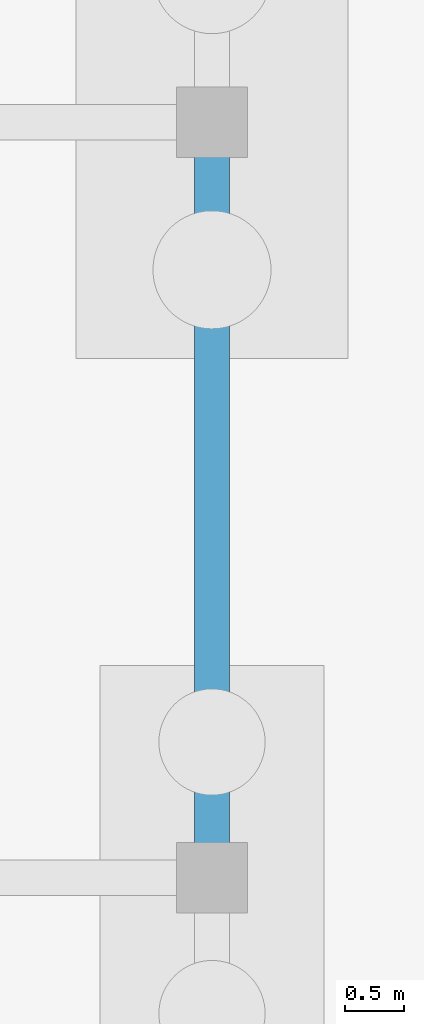
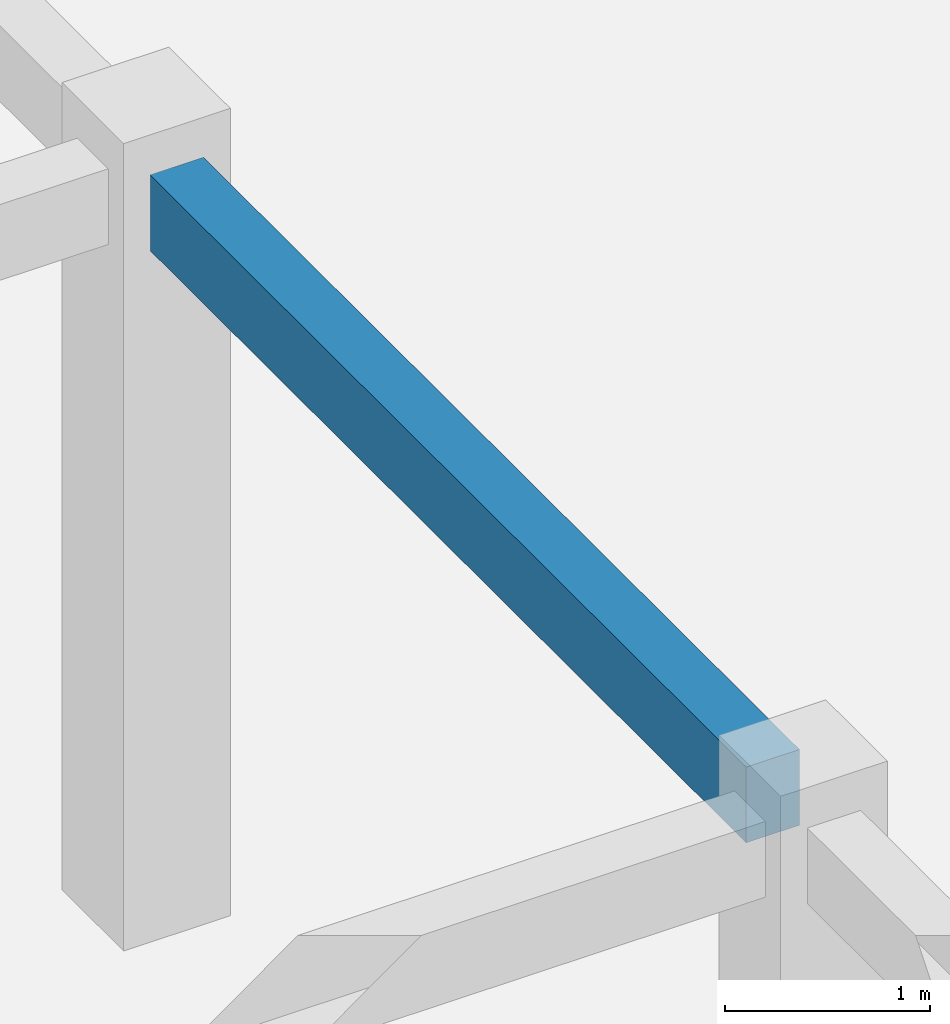
# One storey, part 94 of 192: 1 beam.
"""IFC4 building model written with IfcOpenShell, lengths in metres."""

import ifcopenshell
import ifcopenshell.guid

model = None  # the IFC model being written
_history = None  # IfcOwnerHistory: only IFC2X3 demands one
_inside = {}  # id of a spatial element -> (the spatial element, [elements in it])
_under = {}  # id of a project, library or spatial element -> (it, [spatial elements below it])
_declared = {}  # id of a project -> (the project, [libraries it declares])
_typed = {}  # id of a type object -> (the type object, [elements of that type])
_made_of = {}  # id of a material, layer set ... -> (it, [elements and type objects made of it])


def new_model(schema):
    """Start an empty IFC model of exactly this schema.

    Asked for "IFC4X3", IfcOpenShell would pick the latest addendum, in which some entities
    have other attributes; the version numbers below select the first issue.
    IFC2X3 requires an IfcOwnerHistory on every rooted entity: one is made here for all.
    """
    global model, _history
    if schema == "IFC4X3":
        model = ifcopenshell.file(schema_version=(4, 3, 0, 0))
    else:
        model = ifcopenshell.file(schema=schema)
    _inside.clear()
    _under.clear()
    _declared.clear()
    _typed.clear()
    _made_of.clear()
    _history = None
    if model.schema == "IFC2X3":
        org = make("IfcOrganization", Name="unknown")
        user = make(
            "IfcPersonAndOrganization",
            ThePerson=make("IfcPerson", FamilyName="unknown"),
            TheOrganization=org,
        )
        app = make(
            "IfcApplication",
            ApplicationDeveloper=org,
            Version="unknown",
            ApplicationFullName="unknown",
            ApplicationIdentifier="unknown",
        )
        _history = make(
            "IfcOwnerHistory",
            OwningUser=user,
            OwningApplication=app,
            ChangeAction="ADDED",
            CreationDate=0,
        )
    return model


def make(cls, **values):
    """One entity of the class cls with the attributes given. An attribute that is None is left unset."""
    return model.create_entity(
        cls, **{name: value for name, value in values.items() if value is not None}
    )


def rooted(cls, **values):
    """An entity with a GlobalId (a new one), such as an element, a storey or a relation."""
    return make(cls, GlobalId=ifcopenshell.guid.new(), OwnerHistory=_history, **values)


def si_unit(unit_type, name, prefix=None):
    """IfcSIUnit, for example si_unit("LENGTHUNIT", "METRE", prefix="MILLI")."""
    return make("IfcSIUnit", UnitType=unit_type, Prefix=prefix, Name=name)


def assignment(units):
    """IfcUnitAssignment: the units of a project."""
    return None if units is None else make("IfcUnitAssignment", Units=units)


def point(xyz):
    """IfcCartesianPoint."""
    return None if xyz is None else make("IfcCartesianPoint", Coordinates=xyz)


def direction(xyz):
    """IfcDirection."""
    return None if xyz is None else make("IfcDirection", DirectionRatios=xyz)


def frame(location, z_axis=None, x_axis=None):
    """IfcAxis2Placement3D, a coordinate frame: its origin and axes. An axis left out is left unset."""
    return make(
        "IfcAxis2Placement3D",
        Location=point(location),
        Axis=direction(z_axis),
        RefDirection=direction(x_axis),
    )


def frame_2d(location, x_axis=None):
    """IfcAxis2Placement2D, a coordinate frame in the plane: its origin and x axis."""
    return make(
        "IfcAxis2Placement2D", Location=point(location), RefDirection=direction(x_axis)
    )


def origin():
    """The frame at (0, 0, 0) with its axes left unset."""
    return frame((0.0, 0.0, 0.0))


def origin_2d():
    """The frame at (0, 0) in the plane with its x axis left unset."""
    return frame_2d((0.0, 0.0))


def place(relative_to, where):
    """IfcLocalPlacement: puts the frame where relative to a parent placement (None: the world)."""
    return make(
        "IfcLocalPlacement", PlacementRelTo=relative_to, RelativePlacement=where
    )


def context(
    kind, dimensions, precision=None, world=None, true_north=None, identifier=None
):
    """IfcGeometricRepresentationContext, for example the 3D "Model" context."""
    return make(
        "IfcGeometricRepresentationContext",
        ContextIdentifier=identifier,
        ContextType=kind,
        CoordinateSpaceDimension=dimensions,
        Precision=precision,
        WorldCoordinateSystem=world,
        TrueNorth=true_north,
    )


def subcontext(parent, identifier, kind, view, scale=None):
    """IfcGeometricRepresentationSubContext, for example "Body" below "Model"."""
    return make(
        "IfcGeometricRepresentationSubContext",
        ContextIdentifier=identifier,
        ContextType=kind,
        ParentContext=parent,
        TargetScale=scale,
        TargetView=view,
    )


def project(units=None, contexts=None):
    """IfcProject with its units and contexts."""
    return rooted(
        "IfcProject",
        Name="project",
        RepresentationContexts=contexts,
        UnitsInContext=assignment(units),
    )


def spatial(cls, under=None, at=None, **own):
    """A site, building, storey or space (cls), placed at a placement, below another one or the project."""
    s = rooted(cls, ObjectPlacement=at, **own)
    if under is not None:
        _under.setdefault(under.id(), (under, []))[1].append(s)
    return s


def profile(cls, at=None, kind="AREA", **sizes):
    """A parametric profile (cls). Its sizes go by their IFC names, for example OverallWidth=200.0."""
    return make(cls, ProfileType=kind, Position=at, **sizes)


def rectangle(**sizes):
    """IfcRectangleProfileDef."""
    return profile("IfcRectangleProfileDef", **sizes)


def extrude(swept, where, along, depth):
    """IfcExtrudedAreaSolid: the profile swept, set in the frame where, extruded along a direction by depth."""
    return make(
        "IfcExtrudedAreaSolid",
        SweptArea=swept,
        Position=where,
        ExtrudedDirection=direction(along),
        Depth=depth,
    )


def shape(context_of_items, identifier, shape_type, items):
    """IfcShapeRepresentation: the items that make up one representation, for example the "Body"."""
    return make(
        "IfcShapeRepresentation",
        ContextOfItems=context_of_items,
        RepresentationIdentifier=identifier,
        RepresentationType=shape_type,
        Items=items,
    )


def material(Name=None, Category=None):
    """IfcMaterial."""
    return make("IfcMaterial", Name=Name, Category=Category)


def material_profile(
    of_material, cross_section, Name=None, Category=None, Priority=None
):
    """IfcMaterialProfile: a cross section and its material."""
    return make(
        "IfcMaterialProfile",
        Name=Name,
        Material=of_material,
        Profile=cross_section,
        Priority=Priority,
        Category=Category,
    )


def profile_set(profiles, Name=None, composite=None):
    """IfcMaterialProfileSet."""
    return make(
        "IfcMaterialProfileSet",
        Name=Name,
        MaterialProfiles=profiles,
        CompositeProfile=composite,
    )


def made_of(thing, what):
    """Note that an element or type object is made of a material, layer set ...; save() writes the relation."""
    if what is not None:
        _made_of.setdefault(what.id(), (what, []))[1].append(thing)
    return thing


def type_object(cls, material=None, **own):
    """A type object (cls), such as IfcWallType, which elements share."""
    return made_of(rooted(cls, **own), material)


def element(
    cls,
    number,
    at=None,
    inside=None,
    cuts=None,
    type_object=None,
    material=None,
    context=None,
    identifier="Body",
    shape_type=None,
    held_by="IfcProductDefinitionShape",
    body=None,
    shapes=None,
    **own,
):
    """One element of the class cls, such as IfcWall. Its Tag is "e" and its number.

    at: its placement. inside: the storey or other place that contains it. cuts: it is an
    opening in that element (IfcRelVoidsElement). A single representation is given by context,
    identifier, shape_type and body (its items); several are given by shapes. held_by: the class
    of the entity that holds the representations. save() writes the other relations.
    """
    e = rooted(cls, Tag="e%d" % number, ObjectPlacement=at, **own)
    if body is not None:
        shapes = [shape(context, identifier, shape_type, body)]
    if shapes is not None:
        e.Representation = make(held_by, Representations=shapes)
    if inside is not None:
        _inside.setdefault(inside.id(), (inside, []))[1].append(e)
    if cuts is not None:
        rooted(
            "IfcRelVoidsElement", RelatingBuildingElement=cuts, RelatedOpeningElement=e
        )
    if type_object is not None:
        _typed.setdefault(type_object.id(), (type_object, []))[1].append(e)
    return made_of(e, material)


def aggregate(whole, parts):
    """IfcRelAggregates: a whole, such as a stair, and the parts it consists of."""
    return rooted("IfcRelAggregates", RelatingObject=whole, RelatedObjects=parts)


def save(model, path):
    """Write the relations noted so far, then the file.

    IfcRelAggregates (storeys below a building ...), IfcRelContainedInSpatialStructure (elements
    in a storey), IfcRelDefinesByType, IfcRelAssociatesMaterial and IfcRelDeclares: one each for
    every whole, place, type object, material and project.
    """
    for whole, parts in _under.values():
        aggregate(whole, parts)
    for where, things in _inside.values():
        rooted(
            "IfcRelContainedInSpatialStructure",
            RelatedElements=things,
            RelatingStructure=where,
        )
    for kind, things in _typed.values():
        rooted("IfcRelDefinesByType", RelatedObjects=things, RelatingType=kind)
    for what, things in _made_of.values():
        rooted("IfcRelAssociatesMaterial", RelatedObjects=things, RelatingMaterial=what)
    for by, libraries in _declared.values():
        rooted("IfcRelDeclares", RelatingContext=by, RelatedDefinitions=libraries)
    model.write(path)


model = new_model("IFC4")

# Units and contexts
model_context = context("Model", 3, precision=1e-05, world=origin(), true_north=direction((0.0, 1.0)))
body_context = subcontext(model_context, "Body", "Model", "MODEL_VIEW")
ifc_project = project(units=[si_unit("LENGTHUNIT", "METRE"), si_unit("AREAUNIT", "SQUARE_METRE"), si_unit("VOLUMEUNIT", "CUBIC_METRE"), si_unit("PLANEANGLEUNIT", "RADIAN"), si_unit("MASSUNIT", "GRAM", prefix="KILO")], contexts=[model_context])

# Site, building, storey
site_placement = place(None, origin())
site = spatial("IfcSite", under=ifc_project, at=site_placement, CompositionType="ELEMENT")
building_placement = place(site_placement, origin())
building = spatial("IfcBuilding", under=site, at=building_placement, Name="Trelvath General Hospital", CompositionType="ELEMENT")
storey_placement = place(building_placement, origin())
storey = spatial("IfcBuildingStorey", under=building, at=storey_placement, Name="L00", CompositionType="ELEMENT", Elevation=0.0)

# Beam
ifc_material = material(Name="Concrete C35/45", Category="concrete")
ifc_material_profile = material_profile(ifc_material, rectangle(XDim=0.300048828125, YDim=0.449951171875, at=origin_2d()), Name="RCB300x450")
ifc_profile_set = profile_set([ifc_material_profile], Name="Concrete C35/45")
beam_type = type_object("IfcBeamType", Name="Beam RC300x450", PredefinedType="BEAM", material=ifc_profile_set)
beam_placement = place(storey_placement, frame((60.800048828125, 73.095947265625, 4.3349609375), z_axis=(0.0, 1.0, 0.0), x_axis=(-1.0, 0.0, 0.0)))
element("IfcBeam", 1, at=beam_placement, inside=storey, type_object=beam_type, Name="Cube Interior Ring Beam CUBE-W-T0 L00", PredefinedType="BEAM", context=body_context, shape_type="SweptSolid", body=[
    extrude(rectangle(XDim=0.300048828125, YDim=0.449951171875, at=origin_2d()), origin(), (0.0, 0.0, 1.0), 5.80810546875),
])

save(model, "model.ifc")
